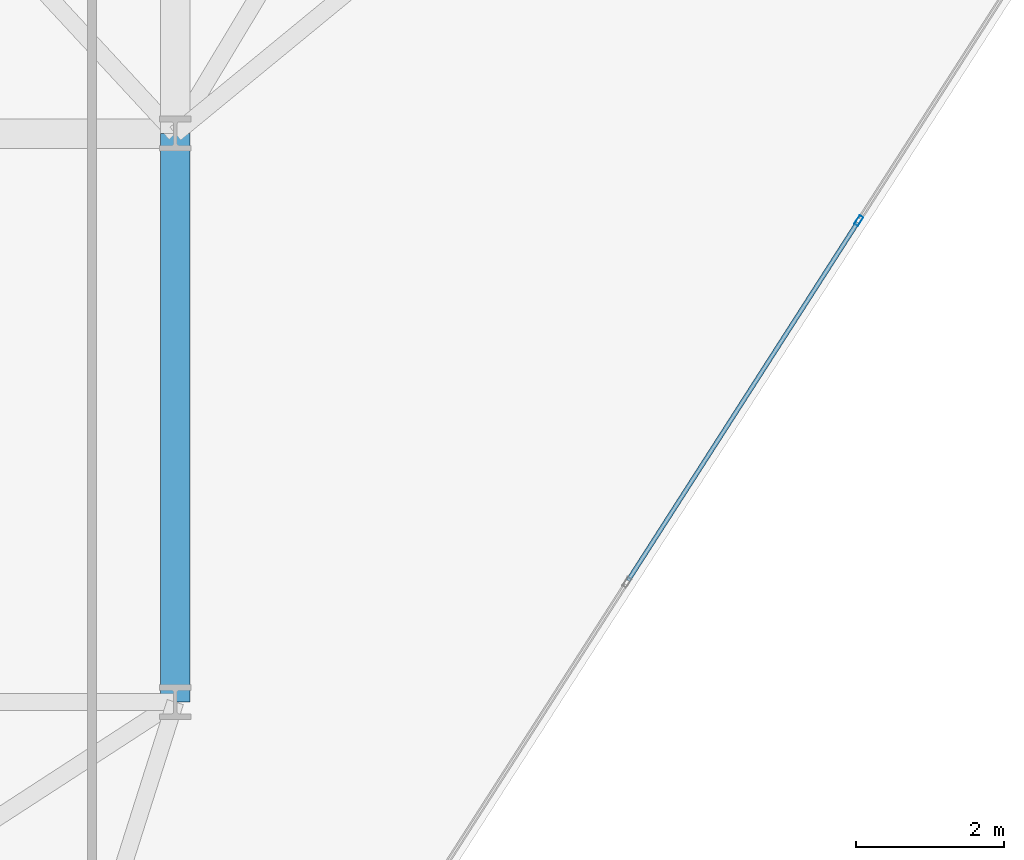
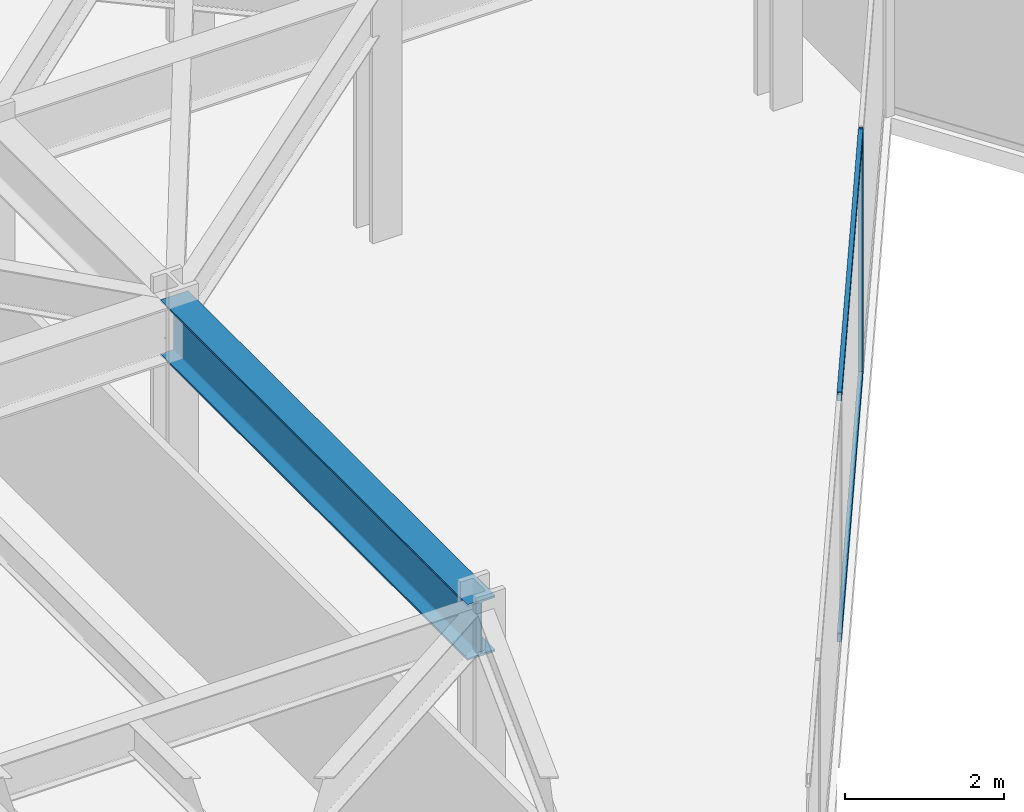
# One storey, part 8 of 26: 3 members, 1 beam, 1 element without a shape of its own.
"""IFC4 building model written with IfcOpenShell, lengths in metres."""

import ifcopenshell
import ifcopenshell.guid

model = None  # the IFC model being written
_history = None  # IfcOwnerHistory: only IFC2X3 demands one
_inside = {}  # id of a spatial element -> (the spatial element, [elements in it])
_under = {}  # id of a project, library or spatial element -> (it, [spatial elements below it])
_declared = {}  # id of a project -> (the project, [libraries it declares])
_typed = {}  # id of a type object -> (the type object, [elements of that type])
_made_of = {}  # id of a material, layer set ... -> (it, [elements and type objects made of it])


def new_model(schema):
    """Start an empty IFC model of exactly this schema.

    Asked for "IFC4X3", IfcOpenShell would pick the latest addendum, in which some entities
    have other attributes; the version numbers below select the first issue.
    IFC2X3 requires an IfcOwnerHistory on every rooted entity: one is made here for all.
    """
    global model, _history
    if schema == "IFC4X3":
        model = ifcopenshell.file(schema_version=(4, 3, 0, 0))
    else:
        model = ifcopenshell.file(schema=schema)
    _inside.clear()
    _under.clear()
    _declared.clear()
    _typed.clear()
    _made_of.clear()
    _history = None
    if model.schema == "IFC2X3":
        org = make("IfcOrganization", Name="unknown")
        user = make(
            "IfcPersonAndOrganization",
            ThePerson=make("IfcPerson", FamilyName="unknown"),
            TheOrganization=org,
        )
        app = make(
            "IfcApplication",
            ApplicationDeveloper=org,
            Version="unknown",
            ApplicationFullName="unknown",
            ApplicationIdentifier="unknown",
        )
        _history = make(
            "IfcOwnerHistory",
            OwningUser=user,
            OwningApplication=app,
            ChangeAction="ADDED",
            CreationDate=0,
        )
    return model


def make(cls, **values):
    """One entity of the class cls with the attributes given. An attribute that is None is left unset."""
    return model.create_entity(
        cls, **{name: value for name, value in values.items() if value is not None}
    )


def rooted(cls, **values):
    """An entity with a GlobalId (a new one), such as an element, a storey or a relation."""
    return make(cls, GlobalId=ifcopenshell.guid.new(), OwnerHistory=_history, **values)


def si_unit(unit_type, name, prefix=None):
    """IfcSIUnit, for example si_unit("LENGTHUNIT", "METRE", prefix="MILLI")."""
    return make("IfcSIUnit", UnitType=unit_type, Prefix=prefix, Name=name)


def assignment(units):
    """IfcUnitAssignment: the units of a project."""
    return None if units is None else make("IfcUnitAssignment", Units=units)


def point(xyz):
    """IfcCartesianPoint."""
    return None if xyz is None else make("IfcCartesianPoint", Coordinates=xyz)


def direction(xyz):
    """IfcDirection."""
    return None if xyz is None else make("IfcDirection", DirectionRatios=xyz)


def frame(location, z_axis=None, x_axis=None):
    """IfcAxis2Placement3D, a coordinate frame: its origin and axes. An axis left out is left unset."""
    return make(
        "IfcAxis2Placement3D",
        Location=point(location),
        Axis=direction(z_axis),
        RefDirection=direction(x_axis),
    )


def frame_2d(location, x_axis=None):
    """IfcAxis2Placement2D, a coordinate frame in the plane: its origin and x axis."""
    return make(
        "IfcAxis2Placement2D", Location=point(location), RefDirection=direction(x_axis)
    )


def origin():
    """The frame at (0, 0, 0) with its axes left unset."""
    return frame((0.0, 0.0, 0.0))


def origin_2d():
    """The frame at (0, 0) in the plane with its x axis left unset."""
    return frame_2d((0.0, 0.0))


def place(relative_to, where):
    """IfcLocalPlacement: puts the frame where relative to a parent placement (None: the world)."""
    return make(
        "IfcLocalPlacement", PlacementRelTo=relative_to, RelativePlacement=where
    )


def context(
    kind, dimensions, precision=None, world=None, true_north=None, identifier=None
):
    """IfcGeometricRepresentationContext, for example the 3D "Model" context."""
    return make(
        "IfcGeometricRepresentationContext",
        ContextIdentifier=identifier,
        ContextType=kind,
        CoordinateSpaceDimension=dimensions,
        Precision=precision,
        WorldCoordinateSystem=world,
        TrueNorth=true_north,
    )


def subcontext(parent, identifier, kind, view, scale=None):
    """IfcGeometricRepresentationSubContext, for example "Body" below "Model"."""
    return make(
        "IfcGeometricRepresentationSubContext",
        ContextIdentifier=identifier,
        ContextType=kind,
        ParentContext=parent,
        TargetScale=scale,
        TargetView=view,
    )


def project(units=None, contexts=None):
    """IfcProject with its units and contexts."""
    return rooted(
        "IfcProject",
        Name="project",
        RepresentationContexts=contexts,
        UnitsInContext=assignment(units),
    )


def spatial(cls, under=None, at=None, **own):
    """A site, building, storey or space (cls), placed at a placement, below another one or the project."""
    s = rooted(cls, ObjectPlacement=at, **own)
    if under is not None:
        _under.setdefault(under.id(), (under, []))[1].append(s)
    return s


def profile(cls, at=None, kind="AREA", **sizes):
    """A parametric profile (cls). Its sizes go by their IFC names, for example OverallWidth=200.0."""
    return make(cls, ProfileType=kind, Position=at, **sizes)


def hollow_rectangle(**sizes):
    """IfcRectangleHollowProfileDef."""
    return profile("IfcRectangleHollowProfileDef", **sizes)


def i_section(**sizes):
    """IfcIShapeProfileDef."""
    return profile("IfcIShapeProfileDef", **sizes)


def extrude(swept, where, along, depth):
    """IfcExtrudedAreaSolid: the profile swept, set in the frame where, extruded along a direction by depth."""
    return make(
        "IfcExtrudedAreaSolid",
        SweptArea=swept,
        Position=where,
        ExtrudedDirection=direction(along),
        Depth=depth,
    )


def shape(context_of_items, identifier, shape_type, items):
    """IfcShapeRepresentation: the items that make up one representation, for example the "Body"."""
    return make(
        "IfcShapeRepresentation",
        ContextOfItems=context_of_items,
        RepresentationIdentifier=identifier,
        RepresentationType=shape_type,
        Items=items,
    )


def material(Name=None, Category=None):
    """IfcMaterial."""
    return make("IfcMaterial", Name=Name, Category=Category)


def layer(
    of_material, thickness, ventilated=None, Name=None, Category=None, Priority=None
):
    """IfcMaterialLayer: one layer of a wall or slab, of a material (None: an air gap)."""
    return make(
        "IfcMaterialLayer",
        Material=of_material,
        LayerThickness=thickness,
        IsVentilated=ventilated,
        Name=Name,
        Category=Category,
        Priority=Priority,
    )


def layer_set(layers, Name=None):
    """IfcMaterialLayerSet."""
    return make("IfcMaterialLayerSet", MaterialLayers=layers, LayerSetName=Name)


def material_profile(
    of_material, cross_section, Name=None, Category=None, Priority=None
):
    """IfcMaterialProfile: a cross section and its material."""
    return make(
        "IfcMaterialProfile",
        Name=Name,
        Material=of_material,
        Profile=cross_section,
        Priority=Priority,
        Category=Category,
    )


def profile_set(profiles, Name=None, composite=None):
    """IfcMaterialProfileSet."""
    return make(
        "IfcMaterialProfileSet",
        Name=Name,
        MaterialProfiles=profiles,
        CompositeProfile=composite,
    )


def made_of(thing, what):
    """Note that an element or type object is made of a material, layer set ...; save() writes the relation."""
    if what is not None:
        _made_of.setdefault(what.id(), (what, []))[1].append(thing)
    return thing


def type_object(cls, material=None, **own):
    """A type object (cls), such as IfcWallType, which elements share."""
    return made_of(rooted(cls, **own), material)


def element(
    cls,
    number,
    at=None,
    inside=None,
    cuts=None,
    type_object=None,
    material=None,
    context=None,
    identifier="Body",
    shape_type=None,
    held_by="IfcProductDefinitionShape",
    body=None,
    shapes=None,
    **own,
):
    """One element of the class cls, such as IfcWall. Its Tag is "e" and its number.

    at: its placement. inside: the storey or other place that contains it. cuts: it is an
    opening in that element (IfcRelVoidsElement). A single representation is given by context,
    identifier, shape_type and body (its items); several are given by shapes. held_by: the class
    of the entity that holds the representations. save() writes the other relations.
    """
    e = rooted(cls, Tag="e%d" % number, ObjectPlacement=at, **own)
    if body is not None:
        shapes = [shape(context, identifier, shape_type, body)]
    if shapes is not None:
        e.Representation = make(held_by, Representations=shapes)
    if inside is not None:
        _inside.setdefault(inside.id(), (inside, []))[1].append(e)
    if cuts is not None:
        rooted(
            "IfcRelVoidsElement", RelatingBuildingElement=cuts, RelatedOpeningElement=e
        )
    if type_object is not None:
        _typed.setdefault(type_object.id(), (type_object, []))[1].append(e)
    return made_of(e, material)


def aggregate(whole, parts):
    """IfcRelAggregates: a whole, such as a stair, and the parts it consists of."""
    return rooted("IfcRelAggregates", RelatingObject=whole, RelatedObjects=parts)


def save(model, path):
    """Write the relations noted so far, then the file.

    IfcRelAggregates (storeys below a building ...), IfcRelContainedInSpatialStructure (elements
    in a storey), IfcRelDefinesByType, IfcRelAssociatesMaterial and IfcRelDeclares: one each for
    every whole, place, type object, material and project.
    """
    for whole, parts in _under.values():
        aggregate(whole, parts)
    for where, things in _inside.values():
        rooted(
            "IfcRelContainedInSpatialStructure",
            RelatedElements=things,
            RelatingStructure=where,
        )
    for kind, things in _typed.values():
        rooted("IfcRelDefinesByType", RelatedObjects=things, RelatingType=kind)
    for what, things in _made_of.values():
        rooted("IfcRelAssociatesMaterial", RelatedObjects=things, RelatingMaterial=what)
    for by, libraries in _declared.values():
        rooted("IfcRelDeclares", RelatingContext=by, RelatedDefinitions=libraries)
    model.write(path)


model = new_model("IFC4")

# Units and contexts
model_context = context("Model", 3, precision=1e-05, world=origin(), true_north=direction((0.0, 1.0)))
body_context = subcontext(model_context, "Body", "Model", "MODEL_VIEW")
ifc_project = project(units=[si_unit("LENGTHUNIT", "METRE"), si_unit("AREAUNIT", "SQUARE_METRE"), si_unit("VOLUMEUNIT", "CUBIC_METRE"), si_unit("PLANEANGLEUNIT", "RADIAN"), si_unit("MASSUNIT", "GRAM", prefix="KILO")], contexts=[model_context])

# Site, building, storey
site_placement = place(None, origin())
site = spatial("IfcSite", under=ifc_project, at=site_placement, CompositionType="ELEMENT")
building_placement = place(site_placement, origin())
building = spatial("IfcBuilding", under=site, at=building_placement, Name="Kravanh Interchange Tower", CompositionType="ELEMENT")
storey_placement = place(building_placement, frame((0.0, 0.0, 120.0)))
storey = spatial("IfcBuildingStorey", under=building, at=storey_placement, Name="L28", CompositionType="ELEMENT", Elevation=120.0)

# Curtain wall, members
ifc_material_1 = material(Name="Anodised Bronze Aluminium", Category="aluminium")
ifc_layer = layer(ifc_material_1, 0.179931640625)
ifc_layer_set = layer_set([ifc_layer], Name="Unitised Curtain Wall System CW-Z2 Mid Office")
curtain_wall_type = type_object("IfcCurtainWallType", Name="Unitised Curtain Wall System CW-Z2 Mid Office", PredefinedType="NOTDEFINED", material=ifc_layer_set)
curtain_wall_placement = place(storey_placement, origin())
curtain_wall = element("IfcCurtainWall", 1, at=curtain_wall_placement, inside=storey, type_object=curtain_wall_type, Name="L28 Unitised Curtain Wall CW-L28-05", PredefinedType="NOTDEFINED")
ifc_material_2 = material(Name="Anodised Bronze Aluminium", Category="aluminium")
ifc_material_profile_1 = material_profile(ifc_material_2, hollow_rectangle(XDim=0.06005859375, YDim=0.139892578125, WallThickness=0.00390625, at=origin_2d()), Name="ALU60X140X4")
ifc_profile_set_1 = profile_set([ifc_material_profile_1], Name="Anodised Bronze Aluminium")
member_type_1 = type_object("IfcMemberType", Name="Curtain Wall Mullion ALU60X140X4 Bronze", PredefinedType="MULLION", material=ifc_profile_set_1)
member_1_placement = place(storey_placement, frame((36.45849609375, 21.021728515625, 0.0), z_axis=(0.0, 0.0, 1.0), x_axis=(0.841879939476, -0.539664865919, 0.0)))
member_1 = element("IfcMember", 2, at=member_1_placement, type_object=member_type_1, Name="CW-Z2 mullion 2", PredefinedType="MULLION", context=body_context, shape_type="SweptSolid", body=[
    extrude(hollow_rectangle(XDim=0.06005859375, YDim=0.139892578125, WallThickness=0.00390625, at=origin_2d()), origin(), (0.0, 0.0, 1.0), 3.75),
])
ifc_material_3 = material(Name="Anodised Bronze Aluminium", Category="aluminium")
ifc_material_profile_2 = material_profile(ifc_material_3, hollow_rectangle(XDim=0.06005859375, YDim=0.139892578125, WallThickness=0.00390625, at=origin_2d()), Name="ALU60X140X4")
ifc_profile_set_2 = profile_set([ifc_material_profile_2], Name="Anodised Bronze Aluminium")
member_type_2 = type_object("IfcMemberType", Name="Curtain Wall Transom ALU60X140X4 Bronze", PredefinedType="USERDEFINED", material=ifc_profile_set_2)
member_2_placement = place(storey_placement, frame((36.4423828125, 20.99658203125, 0.030029296875), z_axis=(-0.539647630778, -0.841890987359, 0.0), x_axis=(0.841890987359, -0.539647630778, 0.0)))
member_2 = element("IfcMember", 3, at=member_2_placement, type_object=member_type_2, Name="CW-Z2 transom 2.1", ObjectType="TRANSOM", PredefinedType="USERDEFINED", context=body_context, shape_type="SweptSolid", body=[
    extrude(hollow_rectangle(XDim=0.06005859375, YDim=0.139892578125, WallThickness=0.00390625, at=origin_2d()), origin(), (0.0, 0.0, 1.0), 5.760986328125),
])
member_3_placement = place(storey_placement, frame((36.4423828125, 20.99658203125, 3.719970703125), z_axis=(-0.539647630778, -0.841890987359, 0.0), x_axis=(0.841890987359, -0.539647630778, 0.0)))
member_3 = element("IfcMember", 4, at=member_3_placement, type_object=member_type_2, Name="CW-Z2 transom 2.2", ObjectType="TRANSOM", PredefinedType="USERDEFINED", context=body_context, shape_type="SweptSolid", body=[
    extrude(hollow_rectangle(XDim=0.06005859375, YDim=0.139892578125, WallThickness=0.00390625, at=origin_2d()), origin(), (0.0, 0.0, 1.0), 5.760986328125),
])
aggregate(curtain_wall, [member_1, member_2, member_3])

# Beam
ifc_material_4 = material(Name="Structural Steel S355", Category="steel")
ifc_material_profile_3 = material_profile(ifc_material_4, i_section(OverallWidth=0.39990234375, OverallDepth=0.85595703125, WebThickness=0.018310546875, FlangeThickness=0.029296875, FilletRadius=0.02490234375, at=origin_2d()), Name="W33X201")
ifc_profile_set_3 = profile_set([ifc_material_profile_3], Name="Structural Steel S355")
beam_type = type_object("IfcBeamType", Name="Floor Beam W33X201 Structural Steel S355", PredefinedType="BEAM", material=ifc_profile_set_3)
beam_placement = place(storey_placement, frame((27.199951171875, 14.5, 3.322021484375), z_axis=(0.0, 1.0, 0.0), x_axis=(-1.0, 0.0, 0.0)))
element("IfcBeam", 5, at=beam_placement, inside=storey, type_object=beam_type, Name="L28 Primary Floor Girder 102", PredefinedType="BEAM", context=body_context, shape_type="SweptSolid", body=[
    extrude(i_section(OverallWidth=0.39990234375, OverallDepth=0.85595703125, WebThickness=0.018310546875, FlangeThickness=0.029296875, FilletRadius=0.02490234375, at=origin_2d()), origin(), (0.0, 0.0, 1.0), 7.699951171875),
])

save(model, "model.ifc")
